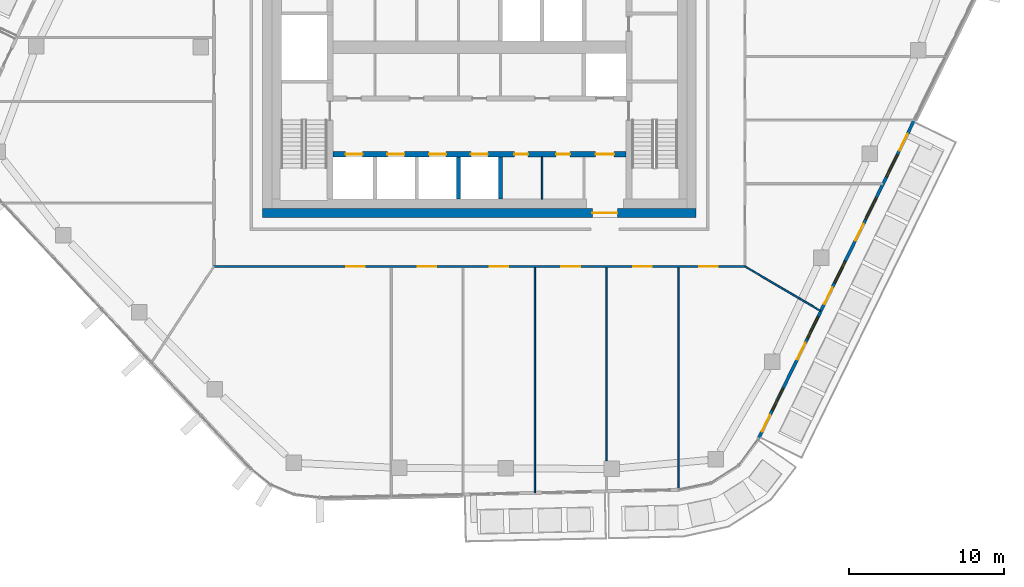
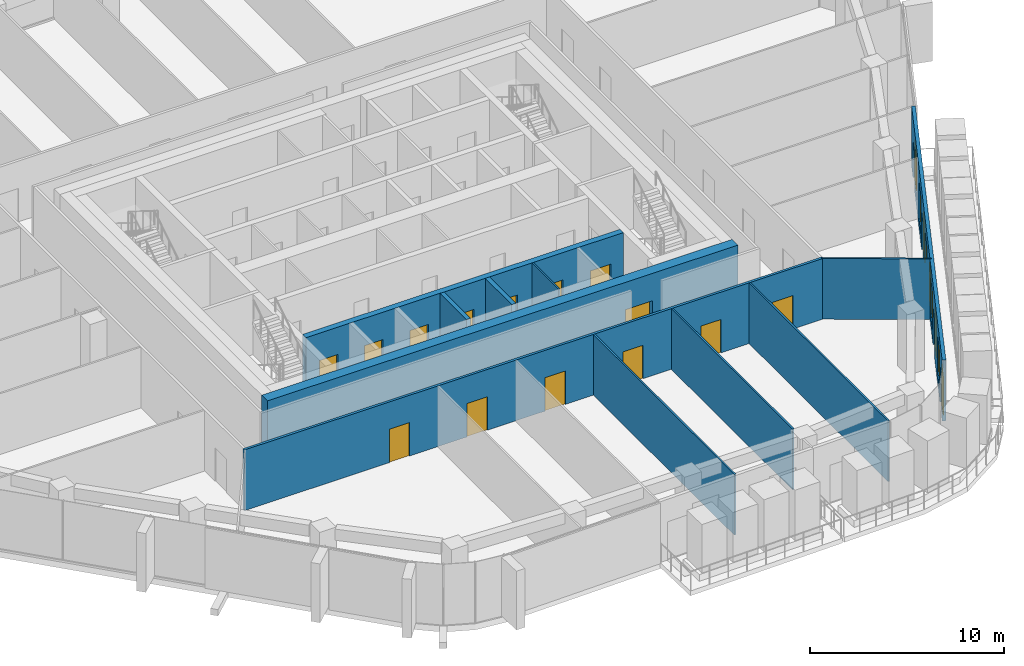
# One storey, part 13 of 23: 19 doors, 11 walls, 5 windows, 24 openings.
"""IFC4 building model written with IfcOpenShell, lengths in metres."""

from ifc_helpers import new_model, si_unit, direction, frame, frame_2d, origin, place, context, subcontext, project, spatial, rectangle, extrude, material, layer, layer_set, type_object, element, fill, save


model = new_model("IFC4")

# Units and contexts
model_context = context("Model", 3, precision=1e-05, world=origin(), true_north=direction((0.0, 1.0)))
body_context = subcontext(model_context, "Body", "Model", "MODEL_VIEW")
ifc_project = project(units=[si_unit("LENGTHUNIT", "METRE"), si_unit("AREAUNIT", "SQUARE_METRE"), si_unit("VOLUMEUNIT", "CUBIC_METRE"), si_unit("PLANEANGLEUNIT", "RADIAN"), si_unit("MASSUNIT", "GRAM", prefix="KILO")], contexts=[model_context])

# Site, building, storey
site_placement = place(None, origin())
site = spatial("IfcSite", under=ifc_project, at=site_placement, CompositionType="ELEMENT")
building_placement = place(site_placement, origin())
building = spatial("IfcBuilding", under=site, at=building_placement, Name="Dongbaek Canopy Tower", CompositionType="ELEMENT")
storey_placement = place(building_placement, frame((0.0, 0.0, 336.199951171875)))
storey = spatial("IfcBuildingStorey", under=building, at=storey_placement, Name="L72", CompositionType="ELEMENT", Elevation=336.199951171875)

# Wall, openings, doors
ifc_material_1 = material(Name="Concrete C60/75", Category="concrete")
ifc_layer_1 = layer(ifc_material_1, 0.35009765625)
ifc_layer_set_1 = layer_set([ifc_layer_1], Name="Core lobby wall 350 Concrete C60/75")
wall_type_1 = type_object("IfcWallType", Name="Core lobby wall 350 Concrete C60/75", PredefinedType="SHEAR", material=ifc_layer_set_1)
wall_1_placement = place(storey_placement, frame((9.449951171875, -6.89990234375, 0.0), z_axis=(0.0, 0.0, 1.0), x_axis=(-1.0, 0.0, 0.0)))
wall_1 = element("IfcWall", 1, at=wall_1_placement, inside=storey, type_object=wall_type_1, Name="Core wall", PredefinedType="SHEAR", context=body_context, shape_type="SweptSolid", body=[
    extrude(rectangle(XDim=18.89990234375, YDim=0.35009765625, at=frame_2d((9.449951171875, 0.0))), origin(), (0.0, 0.0, 1.0), 3.820068359375),
])
opening_1_placement = place(wall_1_placement, frame((17.0, 0.0, 0.0)))
opening_1 = element("IfcOpeningElement", 2, at=opening_1_placement, cuts=wall_1, Name="Opening L72-D034", PredefinedType="OPENING", context=body_context, shape_type="SweptSolid", body=[
    extrude(rectangle(XDim=1.10009765625, YDim=2.10009765625, at=frame_2d((0.550048828125, 1.050048828125))), frame((0.0, 0.18505859375, 0.0), z_axis=(0.0, -1.0, 0.0), x_axis=(1.0, 0.0, 0.0)), (0.0, 0.0, 1.0), 0.3701171875),
])
opening_2_placement = place(wall_1_placement, frame((14.300048828125, 0.0, 0.0)))
opening_2 = element("IfcOpeningElement", 3, at=opening_2_placement, cuts=wall_1, Name="Opening L72-D035", PredefinedType="OPENING", context=body_context, shape_type="SweptSolid", body=[
    extrude(rectangle(XDim=1.10009765625, YDim=2.10009765625, at=frame_2d((0.550048828125, 1.050048828125))), frame((0.0, 0.18505859375, 0.0), z_axis=(0.0, -1.0, 0.0), x_axis=(1.0, 0.0, 0.0)), (0.0, 0.0, 1.0), 0.3701171875),
])
opening_3_placement = place(wall_1_placement, frame((11.60009765625, 0.0, 0.0)))
opening_3 = element("IfcOpeningElement", 4, at=opening_3_placement, cuts=wall_1, Name="Opening L72-D036", PredefinedType="OPENING", context=body_context, shape_type="SweptSolid", body=[
    extrude(rectangle(XDim=1.10009765625, YDim=2.10009765625, at=frame_2d((0.550048828125, 1.050048828125))), frame((0.0, 0.18505859375, 0.0), z_axis=(0.0, -1.0, 0.0), x_axis=(1.0, 0.0, 0.0)), (0.0, 0.0, 1.0), 0.3701171875),
])
opening_4_placement = place(wall_1_placement, frame((8.89990234375, 0.0, 0.0)))
opening_4 = element("IfcOpeningElement", 5, at=opening_4_placement, cuts=wall_1, Name="Opening L72-D037", PredefinedType="OPENING", context=body_context, shape_type="SweptSolid", body=[
    extrude(rectangle(XDim=1.10009765625, YDim=2.10009765625, at=frame_2d((0.550048828125, 1.050048828125))), frame((0.0, 0.18505859375, 0.0), z_axis=(0.0, -1.0, 0.0), x_axis=(1.0, 0.0, 0.0)), (0.0, 0.0, 1.0), 0.3701171875),
])
opening_5_placement = place(wall_1_placement, frame((0.75, 0.0, 0.0)))
opening_5 = element("IfcOpeningElement", 6, at=opening_5_placement, cuts=wall_1, Name="Opening L72-D039", PredefinedType="OPENING", context=body_context, shape_type="SweptSolid", body=[
    extrude(rectangle(XDim=1.199951171875, YDim=2.10009765625, at=frame_2d((0.60009765625, 1.050048828125))), frame((0.0, 0.18505859375, 0.0), z_axis=(0.0, -1.0, 0.0), x_axis=(1.0, 0.0, 0.0)), (0.0, 0.0, 1.0), 0.3701171875),
])
opening_6_placement = place(wall_1_placement, frame((6.300048828125, 0.0, 0.0)))
opening_6 = element("IfcOpeningElement", 7, at=opening_6_placement, cuts=wall_1, Name="Opening L72-D050", PredefinedType="OPENING", context=body_context, shape_type="SweptSolid", body=[
    extrude(rectangle(XDim=0.89990234375, YDim=2.10009765625, at=frame_2d((0.449951171875, 1.050048828125))), frame((0.0, 0.18505859375, 0.0), z_axis=(0.0, -1.0, 0.0), x_axis=(1.0, 0.0, 0.0)), (0.0, 0.0, 1.0), 0.3701171875),
])
opening_7_placement = place(wall_1_placement, frame((3.60009765625, 0.0, 0.0)))
opening_7 = element("IfcOpeningElement", 8, at=opening_7_placement, cuts=wall_1, Name="Opening L72-D051", PredefinedType="OPENING", context=body_context, shape_type="SweptSolid", body=[
    extrude(rectangle(XDim=0.89990234375, YDim=2.10009765625, at=frame_2d((0.449951171875, 1.050048828125))), frame((0.0, 0.18505859375, 0.0), z_axis=(0.0, -1.0, 0.0), x_axis=(1.0, 0.0, 0.0)), (0.0, 0.0, 1.0), 0.3701171875),
])
ifc_material_2 = material(Name="Steel", Category="steel")
door_type_1 = type_object("IfcDoorType", Name="Core room door 900 x 2100", OperationType="SINGLE_SWING_LEFT", PredefinedType="DOOR", material=ifc_material_2)
door_1_placement = place(opening_6_placement, origin())
door_1 = element("IfcDoor", 9, at=door_1_placement, inside=storey, type_object=door_type_1, Name="Door L72-D050", OperationType="SINGLE_SWING_RIGHT", OverallHeight=2.10009765625, OverallWidth=0.89990234375, PredefinedType="DOOR", context=body_context, shape_type="SweptSolid", body=[
    extrude(rectangle(XDim=0.89990234375, YDim=2.10009765625, at=frame_2d((0.449951171875, 1.050048828125))), frame((0.0, 0.02490234375, 0.0), z_axis=(0.0, -1.0, 0.0), x_axis=(1.0, 0.0, 0.0)), (0.0, 0.0, 1.0), 0.050048828125),
])
fill(opening_6, door_1)
door_2_placement = place(opening_7_placement, origin())
door_2 = element("IfcDoor", 10, at=door_2_placement, inside=storey, type_object=door_type_1, Name="Door L72-D051", OperationType="SINGLE_SWING_LEFT", OverallHeight=2.10009765625, OverallWidth=0.89990234375, PredefinedType="DOOR", context=body_context, shape_type="SweptSolid", body=[
    extrude(rectangle(XDim=0.89990234375, YDim=2.10009765625, at=frame_2d((0.449951171875, 1.050048828125))), frame((0.0, 0.02490234375, 0.0), z_axis=(0.0, -1.0, 0.0), x_axis=(1.0, 0.0, 0.0)), (0.0, 0.0, 1.0), 0.050048828125),
])
fill(opening_7, door_2)
ifc_material_3 = material(Name="Steel", Category="steel")
door_type_2 = type_object("IfcDoorType", Name="Fire lobby door 1200 x 2100", OperationType="SINGLE_SWING_LEFT", PredefinedType="DOOR", material=ifc_material_3)
door_3_placement = place(opening_5_placement, origin())
door_3 = element("IfcDoor", 11, at=door_3_placement, inside=storey, type_object=door_type_2, Name="Door L72-D039", OperationType="SINGLE_SWING_LEFT", OverallHeight=2.10009765625, OverallWidth=1.199951171875, PredefinedType="DOOR", context=body_context, shape_type="SweptSolid", body=[
    extrude(rectangle(XDim=1.199951171875, YDim=2.10009765625, at=frame_2d((0.60009765625, 1.050048828125))), frame((0.0, 0.02490234375, 0.0), z_axis=(0.0, -1.0, 0.0), x_axis=(1.0, 0.0, 0.0)), (0.0, 0.0, 1.0), 0.050048828125),
])
fill(opening_5, door_3)
ifc_material_4 = material(Name="Stainless steel", Category="steel")
door_type_3 = type_object("IfcDoorType", Name="Lift landing door 1100 x 2100", OperationType="DOUBLE_DOOR_SLIDING", PredefinedType="DOOR", material=ifc_material_4)
door_4_placement = place(opening_1_placement, origin())
door_4 = element("IfcDoor", 12, at=door_4_placement, inside=storey, type_object=door_type_3, Name="Landing door HR1", OperationType="DOUBLE_DOOR_SLIDING", OverallHeight=2.10009765625, OverallWidth=1.10009765625, PredefinedType="DOOR", context=body_context, shape_type="SweptSolid", body=[
    extrude(rectangle(XDim=1.10009765625, YDim=2.10009765625, at=frame_2d((0.550048828125, 1.050048828125))), frame((0.0, 0.02490234375, 0.0), z_axis=(0.0, -1.0, 0.0), x_axis=(1.0, 0.0, 0.0)), (0.0, 0.0, 1.0), 0.050048828125),
])
fill(opening_1, door_4)
door_5_placement = place(opening_2_placement, origin())
door_5 = element("IfcDoor", 13, at=door_5_placement, inside=storey, type_object=door_type_3, Name="Landing door HR2", OperationType="DOUBLE_DOOR_SLIDING", OverallHeight=2.10009765625, OverallWidth=1.10009765625, PredefinedType="DOOR", context=body_context, shape_type="SweptSolid", body=[
    extrude(rectangle(XDim=1.10009765625, YDim=2.10009765625, at=frame_2d((0.550048828125, 1.050048828125))), frame((0.0, 0.02490234375, 0.0), z_axis=(0.0, -1.0, 0.0), x_axis=(1.0, 0.0, 0.0)), (0.0, 0.0, 1.0), 0.050048828125),
])
fill(opening_2, door_5)
door_6_placement = place(opening_3_placement, origin())
door_6 = element("IfcDoor", 14, at=door_6_placement, inside=storey, type_object=door_type_3, Name="Landing door HR3", OperationType="DOUBLE_DOOR_SLIDING", OverallHeight=2.10009765625, OverallWidth=1.10009765625, PredefinedType="DOOR", context=body_context, shape_type="SweptSolid", body=[
    extrude(rectangle(XDim=1.10009765625, YDim=2.10009765625, at=frame_2d((0.550048828125, 1.050048828125))), frame((0.0, 0.02490234375, 0.0), z_axis=(0.0, -1.0, 0.0), x_axis=(1.0, 0.0, 0.0)), (0.0, 0.0, 1.0), 0.050048828125),
])
fill(opening_3, door_6)
door_7_placement = place(opening_4_placement, origin())
door_7 = element("IfcDoor", 15, at=door_7_placement, inside=storey, type_object=door_type_3, Name="Landing door HR4", OperationType="DOUBLE_DOOR_SLIDING", OverallHeight=2.10009765625, OverallWidth=1.10009765625, PredefinedType="DOOR", context=body_context, shape_type="SweptSolid", body=[
    extrude(rectangle(XDim=1.10009765625, YDim=2.10009765625, at=frame_2d((0.550048828125, 1.050048828125))), frame((0.0, 0.02490234375, 0.0), z_axis=(0.0, -1.0, 0.0), x_axis=(1.0, 0.0, 0.0)), (0.0, 0.0, 1.0), 0.050048828125),
])
fill(opening_4, door_7)

# Wall, opening, door
ifc_material_5 = material(Name="Concrete C80/95", Category="concrete")
ifc_layer_2 = layer(ifc_material_5, 0.60009765625)
ifc_layer_set_2 = layer_set([ifc_layer_2], Name="Core outer wall 600 Concrete C80/95")
wall_type_2 = type_object("IfcWallType", Name="Core outer wall 600 Concrete C80/95", PredefinedType="SHEAR", material=ifc_layer_set_2)
wall_2_placement = place(storey_placement, frame((14.0, -10.699951171875, 0.0), z_axis=(0.0, 0.0, 1.0), x_axis=(-1.0, 0.0, 0.0)))
wall_2 = element("IfcWall", 16, at=wall_2_placement, inside=storey, type_object=wall_type_2, Name="Core wall", PredefinedType="SHEAR", context=body_context, shape_type="SweptSolid", body=[
    extrude(rectangle(XDim=28.0, YDim=0.60009765625, at=frame_2d((14.0, 0.0))), origin(), (0.0, 0.0, 1.0), 3.820068359375),
])
opening_8_placement = place(wall_2_placement, frame((5.10009765625, 0.0, 0.0)))
opening_8 = element("IfcOpeningElement", 17, at=opening_8_placement, cuts=wall_2, Name="Opening L72-D038", PredefinedType="OPENING", context=body_context, shape_type="SweptSolid", body=[
    extrude(rectangle(XDim=1.60009765625, YDim=2.10009765625, at=frame_2d((0.800048828125, 1.050048828125))), frame((0.0, 0.31005859375, 0.0), z_axis=(0.0, -1.0, 0.0), x_axis=(1.0, 0.0, 0.0)), (0.0, 0.0, 1.0), 0.6201171875),
])
ifc_material_6 = material(Name="Steel", Category="steel")
door_type_4 = type_object("IfcDoorType", Name="Core exit door 1600 x 2100", OperationType="DOUBLE_DOOR_SINGLE_SWING", PredefinedType="DOOR", material=ifc_material_6)
door_8_placement = place(opening_8_placement, origin())
door_8 = element("IfcDoor", 18, at=door_8_placement, inside=storey, type_object=door_type_4, Name="Core exit door", OperationType="DOUBLE_DOOR_SINGLE_SWING", OverallHeight=2.10009765625, OverallWidth=1.60009765625, PredefinedType="DOOR", context=body_context, shape_type="SweptSolid", body=[
    extrude(rectangle(XDim=1.60009765625, YDim=2.10009765625, at=frame_2d((0.800048828125, 1.050048828125))), frame((0.0, 0.02490234375, 0.0), z_axis=(0.0, -1.0, 0.0), x_axis=(1.0, 0.0, 0.0)), (0.0, 0.0, 1.0), 0.050048828125),
])
fill(opening_8, door_8)

# Wall, openings, doors
ifc_material_7 = material(Name="Gypsum board partition, steel stud, 2 x 15 mm fire board", Category="steel")
ifc_layer_3 = layer(ifc_material_7, 0.14990234375)
ifc_layer_set_3 = layer_set([ifc_layer_3], Name="Fire-rated partition 150 gypsum board")
wall_type_3 = type_object("IfcWallType", Name="Fire-rated partition 150 gypsum board", PredefinedType="PARTITIONING", material=ifc_layer_set_3)
wall_3_placement = place(storey_placement, frame((17.22509765625, -14.14990234375, 0.0), z_axis=(0.0, 0.0, 1.0), x_axis=(-1.0, 0.0, 0.0)))
wall_3 = element("IfcWall", 19, at=wall_3_placement, inside=storey, type_object=wall_type_3, Name="Corridor partition", PredefinedType="PARTITIONING", context=body_context, shape_type="SweptSolid", body=[
    extrude(rectangle(XDim=34.4501953125, YDim=0.14990234375, at=frame_2d((17.22509765625, 0.0))), origin(), (0.0, 0.0, 1.0), 3.820068359375),
])
opening_9_placement = place(wall_3_placement, frame((24.638671875, 0.0, 0.0)))
opening_9 = element("IfcOpeningElement", 20, at=opening_9_placement, cuts=wall_3, Name="Opening L72-D004", PredefinedType="OPENING", context=body_context, shape_type="SweptSolid", body=[
    extrude(rectangle(XDim=1.199951171875, YDim=2.10009765625, at=frame_2d((0.60009765625, 1.050048828125))), frame((0.0, 0.0849609375, 0.0), z_axis=(0.0, -1.0, 0.0), x_axis=(1.0, 0.0, 0.0)), (0.0, 0.0, 1.0), 0.169921875),
])
opening_10_placement = place(wall_3_placement, frame((20.0048828125, 0.0, 0.0)))
opening_10 = element("IfcOpeningElement", 21, at=opening_10_placement, cuts=wall_3, Name="Opening L72-D005", PredefinedType="OPENING", context=body_context, shape_type="SweptSolid", body=[
    extrude(rectangle(XDim=1.199951171875, YDim=2.10009765625, at=frame_2d((0.60009765625, 1.050048828125))), frame((0.0, 0.0849609375, 0.0), z_axis=(0.0, -1.0, 0.0), x_axis=(1.0, 0.0, 0.0)), (0.0, 0.0, 1.0), 0.169921875),
])
opening_11_placement = place(wall_3_placement, frame((15.367431640625, 0.0, 0.0)))
opening_11 = element("IfcOpeningElement", 22, at=opening_11_placement, cuts=wall_3, Name="Opening L72-D006", PredefinedType="OPENING", context=body_context, shape_type="SweptSolid", body=[
    extrude(rectangle(XDim=1.199951171875, YDim=2.10009765625, at=frame_2d((0.60009765625, 1.050048828125))), frame((0.0, 0.0849609375, 0.0), z_axis=(0.0, -1.0, 0.0), x_axis=(1.0, 0.0, 0.0)), (0.0, 0.0, 1.0), 0.169921875),
])
opening_12_placement = place(wall_3_placement, frame((10.72998046875, 0.0, 0.0)))
opening_12 = element("IfcOpeningElement", 23, at=opening_12_placement, cuts=wall_3, Name="Opening L72-D007", PredefinedType="OPENING", context=body_context, shape_type="SweptSolid", body=[
    extrude(rectangle(XDim=1.199951171875, YDim=2.10009765625, at=frame_2d((0.60009765625, 1.050048828125))), frame((0.0, 0.0849609375, 0.0), z_axis=(0.0, -1.0, 0.0), x_axis=(1.0, 0.0, 0.0)), (0.0, 0.0, 1.0), 0.169921875),
])
opening_13_placement = place(wall_3_placement, frame((6.09716796875, 0.0, 0.0)))
opening_13 = element("IfcOpeningElement", 24, at=opening_13_placement, cuts=wall_3, Name="Opening L72-D008", PredefinedType="OPENING", context=body_context, shape_type="SweptSolid", body=[
    extrude(rectangle(XDim=1.199951171875, YDim=2.10009765625, at=frame_2d((0.60009765625, 1.050048828125))), frame((0.0, 0.0849609375, 0.0), z_axis=(0.0, -1.0, 0.0), x_axis=(1.0, 0.0, 0.0)), (0.0, 0.0, 1.0), 0.169921875),
])
opening_14_placement = place(wall_3_placement, frame((1.82958984375, 0.0, 0.0)))
opening_14 = element("IfcOpeningElement", 25, at=opening_14_placement, cuts=wall_3, Name="Opening L72-D009", PredefinedType="OPENING", context=body_context, shape_type="SweptSolid", body=[
    extrude(rectangle(XDim=1.199951171875, YDim=2.10009765625, at=frame_2d((0.60009765625, 1.050048828125))), frame((0.0, 0.0849609375, 0.0), z_axis=(0.0, -1.0, 0.0), x_axis=(1.0, 0.0, 0.0)), (0.0, 0.0, 1.0), 0.169921875),
])
ifc_material_8 = material(Name="Timber veneered door leaf", Category="wood")
door_type_5 = type_object("IfcDoorType", Name="Room door 1200 x 2100", OperationType="SINGLE_SWING_LEFT", PredefinedType="DOOR", material=ifc_material_8)
door_9_placement = place(opening_9_placement, origin())
door_9 = element("IfcDoor", 26, at=door_9_placement, inside=storey, type_object=door_type_5, Name="Door L72-D004", OperationType="SINGLE_SWING_LEFT", OverallHeight=2.10009765625, OverallWidth=1.199951171875, PredefinedType="DOOR", context=body_context, shape_type="SweptSolid", body=[
    extrude(rectangle(XDim=1.199951171875, YDim=2.10009765625, at=frame_2d((0.60009765625, 1.050048828125))), frame((0.0, 0.02490234375, 0.0), z_axis=(0.0, -1.0, 0.0), x_axis=(1.0, 0.0, 0.0)), (0.0, 0.0, 1.0), 0.050048828125),
])
fill(opening_9, door_9)
door_10_placement = place(opening_10_placement, origin())
door_10 = element("IfcDoor", 27, at=door_10_placement, inside=storey, type_object=door_type_5, Name="Door L72-D005", OperationType="SINGLE_SWING_RIGHT", OverallHeight=2.10009765625, OverallWidth=1.199951171875, PredefinedType="DOOR", context=body_context, shape_type="SweptSolid", body=[
    extrude(rectangle(XDim=1.199951171875, YDim=2.10009765625, at=frame_2d((0.60009765625, 1.050048828125))), frame((0.0, 0.02490234375, 0.0), z_axis=(0.0, -1.0, 0.0), x_axis=(1.0, 0.0, 0.0)), (0.0, 0.0, 1.0), 0.050048828125),
])
fill(opening_10, door_10)
door_11_placement = place(opening_11_placement, origin())
door_11 = element("IfcDoor", 28, at=door_11_placement, inside=storey, type_object=door_type_5, Name="Door L72-D006", OperationType="SINGLE_SWING_LEFT", OverallHeight=2.10009765625, OverallWidth=1.199951171875, PredefinedType="DOOR", context=body_context, shape_type="SweptSolid", body=[
    extrude(rectangle(XDim=1.199951171875, YDim=2.10009765625, at=frame_2d((0.60009765625, 1.050048828125))), frame((0.0, 0.02490234375, 0.0), z_axis=(0.0, -1.0, 0.0), x_axis=(1.0, 0.0, 0.0)), (0.0, 0.0, 1.0), 0.050048828125),
])
fill(opening_11, door_11)
door_12_placement = place(opening_12_placement, origin())
door_12 = element("IfcDoor", 29, at=door_12_placement, inside=storey, type_object=door_type_5, Name="Door L72-D007", OperationType="SINGLE_SWING_RIGHT", OverallHeight=2.10009765625, OverallWidth=1.199951171875, PredefinedType="DOOR", context=body_context, shape_type="SweptSolid", body=[
    extrude(rectangle(XDim=1.199951171875, YDim=2.10009765625, at=frame_2d((0.60009765625, 1.050048828125))), frame((0.0, 0.02490234375, 0.0), z_axis=(0.0, -1.0, 0.0), x_axis=(1.0, 0.0, 0.0)), (0.0, 0.0, 1.0), 0.050048828125),
])
fill(opening_12, door_12)
door_13_placement = place(opening_13_placement, origin())
door_13 = element("IfcDoor", 30, at=door_13_placement, inside=storey, type_object=door_type_5, Name="Door L72-D008", OperationType="SINGLE_SWING_LEFT", OverallHeight=2.10009765625, OverallWidth=1.199951171875, PredefinedType="DOOR", context=body_context, shape_type="SweptSolid", body=[
    extrude(rectangle(XDim=1.199951171875, YDim=2.10009765625, at=frame_2d((0.60009765625, 1.050048828125))), frame((0.0, 0.02490234375, 0.0), z_axis=(0.0, -1.0, 0.0), x_axis=(1.0, 0.0, 0.0)), (0.0, 0.0, 1.0), 0.050048828125),
])
fill(opening_13, door_13)
door_14_placement = place(opening_14_placement, origin())
door_14 = element("IfcDoor", 31, at=door_14_placement, inside=storey, type_object=door_type_5, Name="Door L72-D009", OperationType="SINGLE_SWING_RIGHT", OverallHeight=2.10009765625, OverallWidth=1.199951171875, PredefinedType="DOOR", context=body_context, shape_type="SweptSolid", body=[
    extrude(rectangle(XDim=1.199951171875, YDim=2.10009765625, at=frame_2d((0.60009765625, 1.050048828125))), frame((0.0, 0.02490234375, 0.0), z_axis=(0.0, -1.0, 0.0), x_axis=(1.0, 0.0, 0.0)), (0.0, 0.0, 1.0), 0.050048828125),
])
fill(opening_14, door_14)

# Walls
ifc_material_9 = material(Name="Concrete C40/50", Category="concrete")
ifc_layer_4 = layer(ifc_material_9, 0.25)
ifc_layer_set_4 = layer_set([ifc_layer_4], Name="Lift shaft wall 250 Concrete C40/50")
wall_type_4 = type_object("IfcWallType", Name="Lift shaft wall 250 Concrete C40/50", PredefinedType="SOLIDWALL", material=ifc_layer_set_4)
for number, where, z_axis, x_axis, name in (
    (32, (1.35009765625, -9.800048828125, 0.0), (0.0, 0.0, 1.0), (0.0, 1.0, 0.0), "Lift shaft wall"),
    (33, (-1.35009765625, -9.800048828125, 0.0), (0.0, 0.0, 1.0), (0.0, 1.0, 0.0), "Lift shaft wall"),
):
    element("IfcWall", number, at=place(storey_placement, frame(where, z_axis=z_axis, x_axis=x_axis)), inside=storey, type_object=wall_type_4, Name=name, PredefinedType="SOLIDWALL", context=body_context, shape_type="SweptSolid", body=[
        extrude(rectangle(XDim=2.72509765625, YDim=0.25, at=frame_2d((1.362548828125, 0.0))), origin(), (0.0, 0.0, 1.0), 3.820068359375),
    ])
ifc_material_10 = material(Name="Gypsum board partition, steel stud, 2 x 12.5 mm board", Category="steel")
ifc_layer_5 = layer(ifc_material_10, 0.10009765625)
ifc_layer_set_5 = layer_set([ifc_layer_5], Name="Partition 100 gypsum board")
wall_type_5 = type_object("IfcWallType", Name="Partition 100 gypsum board", PredefinedType="PARTITIONING", material=ifc_layer_set_5)
wall_4_placement = place(storey_placement, frame((12.842041015625, -28.55078125, 0.0), z_axis=(0.0, 0.0, 1.0), x_axis=(0.0, 1.0, 0.0)))
element("IfcWall", 34, at=wall_4_placement, inside=storey, type_object=wall_type_5, Name="Partition", PredefinedType="PARTITIONING", context=body_context, shape_type="SweptSolid", body=[
    extrude(rectangle(XDim=14.32568359375, YDim=0.10009765625, at=frame_2d((7.162841796875, 0.0))), origin(), (0.0, 0.0, 1.0), 3.820068359375),
])
wall_5_placement = place(storey_placement, frame((8.214111328125, -26.72705078125, 0.0), z_axis=(0.0, 0.0, 1.0), x_axis=(0.0, 1.0, 0.0)))
element("IfcWall", 35, at=wall_5_placement, inside=storey, type_object=wall_type_5, Name="Partition", PredefinedType="PARTITIONING", context=body_context, shape_type="SweptSolid", body=[
    extrude(rectangle(XDim=12.501953125, YDim=0.10009765625, at=frame_2d((6.2509765625, 0.0))), origin(), (0.0, 0.0, 1.0), 3.820068359375),
])
wall_6_placement = place(storey_placement, frame((3.575927734375, -28.752197265625, 0.0), z_axis=(0.0, 0.0, 1.0), x_axis=(0.0, 1.0, 0.0)))
element("IfcWall", 36, at=wall_6_placement, inside=storey, type_object=wall_type_5, Name="Partition", PredefinedType="PARTITIONING", context=body_context, shape_type="SweptSolid", body=[
    extrude(rectangle(XDim=14.527099609375, YDim=0.10009765625, at=frame_2d((7.263671875, 0.0))), origin(), (0.0, 0.0, 1.0), 3.820068359375),
])
wall_7_placement = place(storey_placement, frame((17.150146484375, -14.14990234375, 0.0), z_axis=(0.0, 0.0, 1.0), x_axis=(0.861895432603, -0.507086051137, 0.0)))
element("IfcWall", 37, at=wall_7_placement, inside=storey, type_object=wall_type_5, Name="Partition", PredefinedType="PARTITIONING", context=body_context, shape_type="SweptSolid", body=[
    extrude(rectangle(XDim=5.664306640625, YDim=0.10009765625, at=frame_2d((2.83203125, 0.0))), origin(), (0.0, 0.0, 1.0), 3.820068359375),
])
wall_8_placement = place(storey_placement, frame((4.050048828125, -9.800048828125, 0.0), z_axis=(0.0, 0.0, 1.0), x_axis=(0.0, 1.0, 0.0)))
element("IfcWall", 38, at=wall_8_placement, inside=storey, type_object=wall_type_5, Name="Core partition", PredefinedType="PARTITIONING", context=body_context, shape_type="SweptSolid", body=[
    extrude(rectangle(XDim=2.72509765625, YDim=0.10009765625, at=frame_2d((1.362548828125, 0.0))), origin(), (0.0, 0.0, 1.0), 3.820068359375),
])

# Wall, openings, doors, windows
ifc_material_11 = material(Name="Aluminium window wall", Category="aluminium")
ifc_layer_6 = layer(ifc_material_11, 0.199951171875)
ifc_layer_set_6 = layer_set([ifc_layer_6], Name="Window wall 200")
wall_type_6 = type_object("IfcWallType", Name="Window wall 200", PredefinedType="SOLIDWALL", material=ifc_layer_set_6)
wall_9_placement = place(storey_placement, frame((18.02734375, -25.25634765625, 0.0), z_axis=(0.0, 0.0, 1.0), x_axis=(0.439336781314, 0.898322432418, 0.0)))
wall_9 = element("IfcWall", 39, at=wall_9_placement, inside=storey, type_object=wall_type_6, Name="Window wall L72 5", PredefinedType="SOLIDWALL", context=body_context, shape_type="SweptSolid", body=[
    extrude(rectangle(XDim=22.88720703125, YDim=0.199951171875, at=frame_2d((11.443603515625, 0.0))), origin(), (0.0, 0.0, 1.0), 3.820068359375),
])
opening_15_placement = place(wall_9_placement, frame((2.0, 0.0, 0.60009765625)))
opening_15 = element("IfcOpeningElement", 40, at=opening_15_placement, cuts=wall_9, Name="Opening W1", PredefinedType="OPENING", context=body_context, shape_type="SweptSolid", body=[
    extrude(rectangle(XDim=1.60009765625, YDim=2.39990234375, at=frame_2d((0.800048828125, 1.199951171875))), frame((0.0, 0.10986328125, 0.0), z_axis=(0.0, -1.0, 0.0), x_axis=(1.0, 0.0, 0.0)), (0.0, 0.0, 1.0), 0.219970703125),
])
opening_16_placement = place(wall_9_placement, frame((0.5, 0.0, 0.0)))
opening_16 = element("IfcOpeningElement", 41, at=opening_16_placement, cuts=wall_9, Name="Opening L72-B15", PredefinedType="OPENING", context=body_context, shape_type="SweptSolid", body=[
    extrude(rectangle(XDim=1.199951171875, YDim=2.39990234375, at=frame_2d((0.60009765625, 1.199951171875))), frame((0.0, 0.10986328125, 0.0), z_axis=(0.0, -1.0, 0.0), x_axis=(1.0, 0.0, 0.0)), (0.0, 0.0, 1.0), 0.219970703125),
])
opening_17_placement = place(wall_9_placement, frame((7.177490234375, 0.0, 0.60009765625)))
opening_17 = element("IfcOpeningElement", 42, at=opening_17_placement, cuts=wall_9, Name="Opening W1", PredefinedType="OPENING", context=body_context, shape_type="SweptSolid", body=[
    extrude(rectangle(XDim=1.60009765625, YDim=2.39990234375, at=frame_2d((0.800048828125, 1.199951171875))), frame((0.0, 0.10986328125, 0.0), z_axis=(0.0, -1.0, 0.0), x_axis=(1.0, 0.0, 0.0)), (0.0, 0.0, 1.0), 0.219970703125),
])
opening_18_placement = place(wall_9_placement, frame((5.677490234375, 0.0, 0.0)))
opening_18 = element("IfcOpeningElement", 43, at=opening_18_placement, cuts=wall_9, Name="Opening L72-B16", PredefinedType="OPENING", context=body_context, shape_type="SweptSolid", body=[
    extrude(rectangle(XDim=1.199951171875, YDim=2.39990234375, at=frame_2d((0.60009765625, 1.199951171875))), frame((0.0, 0.10986328125, 0.0), z_axis=(0.0, -1.0, 0.0), x_axis=(1.0, 0.0, 0.0)), (0.0, 0.0, 1.0), 0.219970703125),
])
opening_19_placement = place(wall_9_placement, frame((11.15478515625, 0.0, 0.60009765625)))
opening_19 = element("IfcOpeningElement", 44, at=opening_19_placement, cuts=wall_9, Name="Opening W1", PredefinedType="OPENING", context=body_context, shape_type="SweptSolid", body=[
    extrude(rectangle(XDim=1.60009765625, YDim=2.39990234375, at=frame_2d((0.800048828125, 1.199951171875))), frame((0.0, 0.10986328125, 0.0), z_axis=(0.0, -1.0, 0.0), x_axis=(1.0, 0.0, 0.0)), (0.0, 0.0, 1.0), 0.219970703125),
])
opening_20_placement = place(wall_9_placement, frame((9.65478515625, 0.0, 0.0)))
opening_20 = element("IfcOpeningElement", 45, at=opening_20_placement, cuts=wall_9, Name="Opening L72-B17", PredefinedType="OPENING", context=body_context, shape_type="SweptSolid", body=[
    extrude(rectangle(XDim=1.199951171875, YDim=2.39990234375, at=frame_2d((0.60009765625, 1.199951171875))), frame((0.0, 0.10986328125, 0.0), z_axis=(0.0, -1.0, 0.0), x_axis=(1.0, 0.0, 0.0)), (0.0, 0.0, 1.0), 0.219970703125),
])
opening_21_placement = place(wall_9_placement, frame((15.732177734375, 0.0, 0.60009765625)))
opening_21 = element("IfcOpeningElement", 46, at=opening_21_placement, cuts=wall_9, Name="Opening W1", PredefinedType="OPENING", context=body_context, shape_type="SweptSolid", body=[
    extrude(rectangle(XDim=1.60009765625, YDim=2.39990234375, at=frame_2d((0.800048828125, 1.199951171875))), frame((0.0, 0.10986328125, 0.0), z_axis=(0.0, -1.0, 0.0), x_axis=(1.0, 0.0, 0.0)), (0.0, 0.0, 1.0), 0.219970703125),
])
opening_22_placement = place(wall_9_placement, frame((14.232177734375, 0.0, 0.0)))
opening_22 = element("IfcOpeningElement", 47, at=opening_22_placement, cuts=wall_9, Name="Opening L72-B18", PredefinedType="OPENING", context=body_context, shape_type="SweptSolid", body=[
    extrude(rectangle(XDim=1.199951171875, YDim=2.39990234375, at=frame_2d((0.60009765625, 1.199951171875))), frame((0.0, 0.10986328125, 0.0), z_axis=(0.0, -1.0, 0.0), x_axis=(1.0, 0.0, 0.0)), (0.0, 0.0, 1.0), 0.219970703125),
])
opening_23_placement = place(wall_9_placement, frame((18.8095703125, 0.0, 0.60009765625)))
opening_23 = element("IfcOpeningElement", 48, at=opening_23_placement, cuts=wall_9, Name="Opening W1", PredefinedType="OPENING", context=body_context, shape_type="SweptSolid", body=[
    extrude(rectangle(XDim=1.60009765625, YDim=2.39990234375, at=frame_2d((0.800048828125, 1.199951171875))), frame((0.0, 0.10986328125, 0.0), z_axis=(0.0, -1.0, 0.0), x_axis=(1.0, 0.0, 0.0)), (0.0, 0.0, 1.0), 0.219970703125),
])
opening_24_placement = place(wall_9_placement, frame((20.709716796875, 0.0, 0.0)))
opening_24 = element("IfcOpeningElement", 49, at=opening_24_placement, cuts=wall_9, Name="Opening L72-B19", PredefinedType="OPENING", context=body_context, shape_type="SweptSolid", body=[
    extrude(rectangle(XDim=1.199951171875, YDim=2.39990234375, at=frame_2d((0.60009765625, 1.199951171875))), frame((0.0, 0.10986328125, 0.0), z_axis=(0.0, -1.0, 0.0), x_axis=(1.0, 0.0, 0.0)), (0.0, 0.0, 1.0), 0.219970703125),
])
ifc_material_12 = material(Name="Clear glazing in aluminium frame", Category="aluminium")
door_type_6 = type_object("IfcDoorType", Name="Balcony door BD1 1200 x 2400", OperationType="SLIDING_TO_LEFT", PredefinedType="DOOR", material=ifc_material_12)
door_15_placement = place(opening_16_placement, origin())
door_15 = element("IfcDoor", 50, at=door_15_placement, inside=storey, type_object=door_type_6, Name="Balcony door L72-B15", OperationType="SLIDING_TO_LEFT", OverallHeight=2.39990234375, OverallWidth=1.199951171875, PredefinedType="DOOR", context=body_context, shape_type="SweptSolid", body=[
    extrude(rectangle(XDim=1.199951171875, YDim=2.39990234375, at=frame_2d((0.60009765625, 1.199951171875))), frame((0.0, 0.02490234375, 0.0), z_axis=(0.0, -1.0, 0.0), x_axis=(1.0, 0.0, 0.0)), (0.0, 0.0, 1.0), 0.050048828125),
])
fill(opening_16, door_15)
door_16_placement = place(opening_18_placement, origin())
door_16 = element("IfcDoor", 51, at=door_16_placement, inside=storey, type_object=door_type_6, Name="Balcony door L72-B16", OperationType="SLIDING_TO_LEFT", OverallHeight=2.39990234375, OverallWidth=1.199951171875, PredefinedType="DOOR", context=body_context, shape_type="SweptSolid", body=[
    extrude(rectangle(XDim=1.199951171875, YDim=2.39990234375, at=frame_2d((0.60009765625, 1.199951171875))), frame((0.0, 0.02490234375, 0.0), z_axis=(0.0, -1.0, 0.0), x_axis=(1.0, 0.0, 0.0)), (0.0, 0.0, 1.0), 0.050048828125),
])
fill(opening_18, door_16)
door_17_placement = place(opening_20_placement, origin())
door_17 = element("IfcDoor", 52, at=door_17_placement, inside=storey, type_object=door_type_6, Name="Balcony door L72-B17", OperationType="SLIDING_TO_LEFT", OverallHeight=2.39990234375, OverallWidth=1.199951171875, PredefinedType="DOOR", context=body_context, shape_type="SweptSolid", body=[
    extrude(rectangle(XDim=1.199951171875, YDim=2.39990234375, at=frame_2d((0.60009765625, 1.199951171875))), frame((0.0, 0.02490234375, 0.0), z_axis=(0.0, -1.0, 0.0), x_axis=(1.0, 0.0, 0.0)), (0.0, 0.0, 1.0), 0.050048828125),
])
fill(opening_20, door_17)
door_18_placement = place(opening_22_placement, origin())
door_18 = element("IfcDoor", 53, at=door_18_placement, inside=storey, type_object=door_type_6, Name="Balcony door L72-B18", OperationType="SLIDING_TO_LEFT", OverallHeight=2.39990234375, OverallWidth=1.199951171875, PredefinedType="DOOR", context=body_context, shape_type="SweptSolid", body=[
    extrude(rectangle(XDim=1.199951171875, YDim=2.39990234375, at=frame_2d((0.60009765625, 1.199951171875))), frame((0.0, 0.02490234375, 0.0), z_axis=(0.0, -1.0, 0.0), x_axis=(1.0, 0.0, 0.0)), (0.0, 0.0, 1.0), 0.050048828125),
])
fill(opening_22, door_18)
door_19_placement = place(opening_24_placement, origin())
door_19 = element("IfcDoor", 54, at=door_19_placement, inside=storey, type_object=door_type_6, Name="Balcony door L72-B19", OperationType="SLIDING_TO_LEFT", OverallHeight=2.39990234375, OverallWidth=1.199951171875, PredefinedType="DOOR", context=body_context, shape_type="SweptSolid", body=[
    extrude(rectangle(XDim=1.199951171875, YDim=2.39990234375, at=frame_2d((0.60009765625, 1.199951171875))), frame((0.0, 0.02490234375, 0.0), z_axis=(0.0, -1.0, 0.0), x_axis=(1.0, 0.0, 0.0)), (0.0, 0.0, 1.0), 0.050048828125),
])
fill(opening_24, door_19)
ifc_material_13 = material(Name="Clear glazing in aluminium frame", Category="aluminium")
window_type = type_object("IfcWindowType", Name="Window W1 1600 x 2400", PartitioningType="SINGLE_PANEL", PredefinedType="WINDOW", material=ifc_material_13)
window_1_placement = place(opening_15_placement, origin())
window_1 = element("IfcWindow", 55, at=window_1_placement, inside=storey, type_object=window_type, Name="Window L72 5.1", OverallHeight=2.39990234375, OverallWidth=1.60009765625, PartitioningType="SINGLE_PANEL", PredefinedType="WINDOW", context=body_context, shape_type="SweptSolid", body=[
    extrude(rectangle(XDim=1.60009765625, YDim=2.39990234375, at=frame_2d((0.800048828125, 1.199951171875))), frame((0.0, 0.030029296875, 0.0), z_axis=(0.0, -1.0, 0.0), x_axis=(1.0, 0.0, 0.0)), (0.0, 0.0, 1.0), 0.06005859375),
])
fill(opening_15, window_1)
window_2_placement = place(opening_17_placement, origin())
window_2 = element("IfcWindow", 56, at=window_2_placement, inside=storey, type_object=window_type, Name="Window L72 5.2", OverallHeight=2.39990234375, OverallWidth=1.60009765625, PartitioningType="SINGLE_PANEL", PredefinedType="WINDOW", context=body_context, shape_type="SweptSolid", body=[
    extrude(rectangle(XDim=1.60009765625, YDim=2.39990234375, at=frame_2d((0.800048828125, 1.199951171875))), frame((0.0, 0.030029296875, 0.0), z_axis=(0.0, -1.0, 0.0), x_axis=(1.0, 0.0, 0.0)), (0.0, 0.0, 1.0), 0.06005859375),
])
fill(opening_17, window_2)
window_3_placement = place(opening_19_placement, origin())
window_3 = element("IfcWindow", 57, at=window_3_placement, inside=storey, type_object=window_type, Name="Window L72 5.3", OverallHeight=2.39990234375, OverallWidth=1.60009765625, PartitioningType="SINGLE_PANEL", PredefinedType="WINDOW", context=body_context, shape_type="SweptSolid", body=[
    extrude(rectangle(XDim=1.60009765625, YDim=2.39990234375, at=frame_2d((0.800048828125, 1.199951171875))), frame((0.0, 0.030029296875, 0.0), z_axis=(0.0, -1.0, 0.0), x_axis=(1.0, 0.0, 0.0)), (0.0, 0.0, 1.0), 0.06005859375),
])
fill(opening_19, window_3)
window_4_placement = place(opening_21_placement, origin())
window_4 = element("IfcWindow", 58, at=window_4_placement, inside=storey, type_object=window_type, Name="Window L72 5.4", OverallHeight=2.39990234375, OverallWidth=1.60009765625, PartitioningType="SINGLE_PANEL", PredefinedType="WINDOW", context=body_context, shape_type="SweptSolid", body=[
    extrude(rectangle(XDim=1.60009765625, YDim=2.39990234375, at=frame_2d((0.800048828125, 1.199951171875))), frame((0.0, 0.030029296875, 0.0), z_axis=(0.0, -1.0, 0.0), x_axis=(1.0, 0.0, 0.0)), (0.0, 0.0, 1.0), 0.06005859375),
])
fill(opening_21, window_4)
window_5_placement = place(opening_23_placement, origin())
window_5 = element("IfcWindow", 59, at=window_5_placement, inside=storey, type_object=window_type, Name="Window L72 5.5", OverallHeight=2.39990234375, OverallWidth=1.60009765625, PartitioningType="SINGLE_PANEL", PredefinedType="WINDOW", context=body_context, shape_type="SweptSolid", body=[
    extrude(rectangle(XDim=1.60009765625, YDim=2.39990234375, at=frame_2d((0.800048828125, 1.199951171875))), frame((0.0, 0.030029296875, 0.0), z_axis=(0.0, -1.0, 0.0), x_axis=(1.0, 0.0, 0.0)), (0.0, 0.0, 1.0), 0.06005859375),
])
fill(opening_23, window_5)

save(model, "model.ifc")
